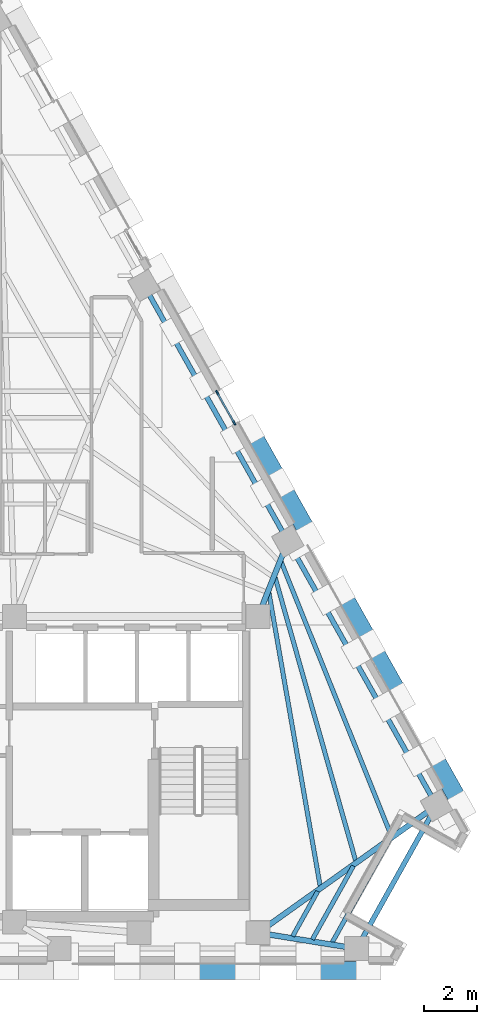
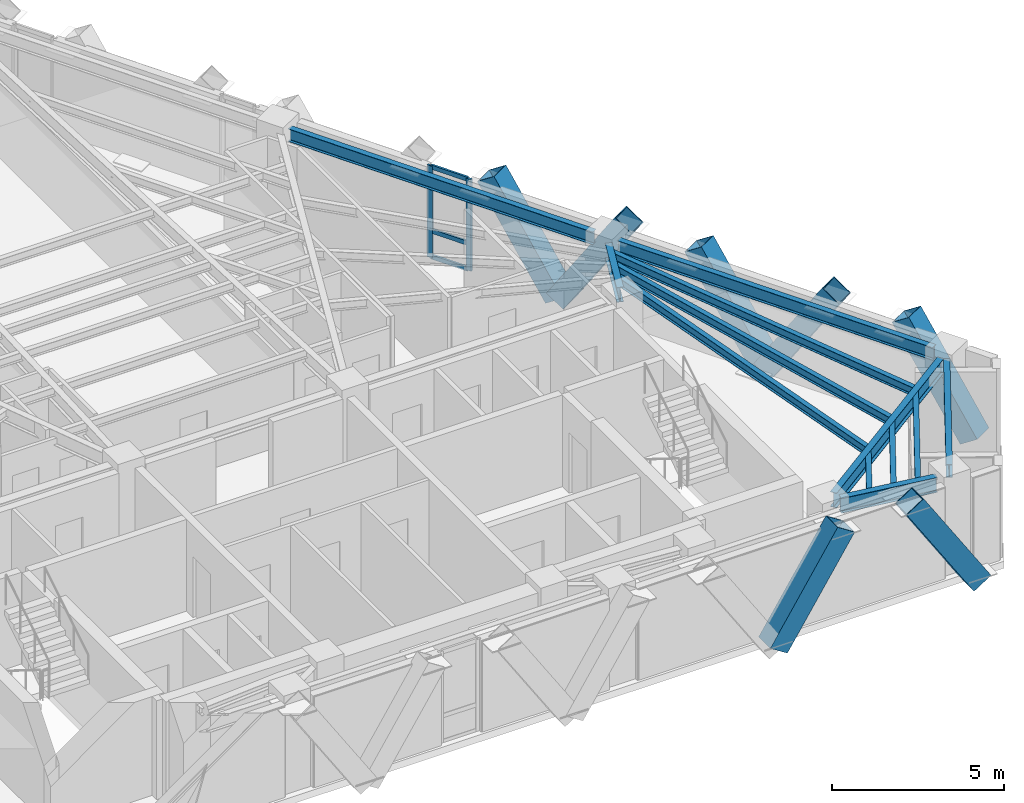
# One storey, part 4 of 12: 12 beams, 12 members, 1 element without a shape of its own.
"""IFC4 building model written with IfcOpenShell, lengths in metres."""

import ifcopenshell
import ifcopenshell.guid

model = None  # the IFC model being written
_history = None  # IfcOwnerHistory: only IFC2X3 demands one
_inside = {}  # id of a spatial element -> (the spatial element, [elements in it])
_under = {}  # id of a project, library or spatial element -> (it, [spatial elements below it])
_declared = {}  # id of a project -> (the project, [libraries it declares])
_typed = {}  # id of a type object -> (the type object, [elements of that type])
_made_of = {}  # id of a material, layer set ... -> (it, [elements and type objects made of it])


def new_model(schema):
    """Start an empty IFC model of exactly this schema.

    Asked for "IFC4X3", IfcOpenShell would pick the latest addendum, in which some entities
    have other attributes; the version numbers below select the first issue.
    IFC2X3 requires an IfcOwnerHistory on every rooted entity: one is made here for all.
    """
    global model, _history
    if schema == "IFC4X3":
        model = ifcopenshell.file(schema_version=(4, 3, 0, 0))
    else:
        model = ifcopenshell.file(schema=schema)
    _inside.clear()
    _under.clear()
    _declared.clear()
    _typed.clear()
    _made_of.clear()
    _history = None
    if model.schema == "IFC2X3":
        org = make("IfcOrganization", Name="unknown")
        user = make(
            "IfcPersonAndOrganization",
            ThePerson=make("IfcPerson", FamilyName="unknown"),
            TheOrganization=org,
        )
        app = make(
            "IfcApplication",
            ApplicationDeveloper=org,
            Version="unknown",
            ApplicationFullName="unknown",
            ApplicationIdentifier="unknown",
        )
        _history = make(
            "IfcOwnerHistory",
            OwningUser=user,
            OwningApplication=app,
            ChangeAction="ADDED",
            CreationDate=0,
        )
    return model


def make(cls, **values):
    """One entity of the class cls with the attributes given. An attribute that is None is left unset."""
    return model.create_entity(
        cls, **{name: value for name, value in values.items() if value is not None}
    )


def rooted(cls, **values):
    """An entity with a GlobalId (a new one), such as an element, a storey or a relation."""
    return make(cls, GlobalId=ifcopenshell.guid.new(), OwnerHistory=_history, **values)


def si_unit(unit_type, name, prefix=None):
    """IfcSIUnit, for example si_unit("LENGTHUNIT", "METRE", prefix="MILLI")."""
    return make("IfcSIUnit", UnitType=unit_type, Prefix=prefix, Name=name)


def assignment(units):
    """IfcUnitAssignment: the units of a project."""
    return None if units is None else make("IfcUnitAssignment", Units=units)


def point(xyz):
    """IfcCartesianPoint."""
    return None if xyz is None else make("IfcCartesianPoint", Coordinates=xyz)


def direction(xyz):
    """IfcDirection."""
    return None if xyz is None else make("IfcDirection", DirectionRatios=xyz)


def frame(location, z_axis=None, x_axis=None):
    """IfcAxis2Placement3D, a coordinate frame: its origin and axes. An axis left out is left unset."""
    return make(
        "IfcAxis2Placement3D",
        Location=point(location),
        Axis=direction(z_axis),
        RefDirection=direction(x_axis),
    )


def frame_2d(location, x_axis=None):
    """IfcAxis2Placement2D, a coordinate frame in the plane: its origin and x axis."""
    return make(
        "IfcAxis2Placement2D", Location=point(location), RefDirection=direction(x_axis)
    )


def origin():
    """The frame at (0, 0, 0) with its axes left unset."""
    return frame((0.0, 0.0, 0.0))


def origin_2d():
    """The frame at (0, 0) in the plane with its x axis left unset."""
    return frame_2d((0.0, 0.0))


def place(relative_to, where):
    """IfcLocalPlacement: puts the frame where relative to a parent placement (None: the world)."""
    return make(
        "IfcLocalPlacement", PlacementRelTo=relative_to, RelativePlacement=where
    )


def context(
    kind, dimensions, precision=None, world=None, true_north=None, identifier=None
):
    """IfcGeometricRepresentationContext, for example the 3D "Model" context."""
    return make(
        "IfcGeometricRepresentationContext",
        ContextIdentifier=identifier,
        ContextType=kind,
        CoordinateSpaceDimension=dimensions,
        Precision=precision,
        WorldCoordinateSystem=world,
        TrueNorth=true_north,
    )


def subcontext(parent, identifier, kind, view, scale=None):
    """IfcGeometricRepresentationSubContext, for example "Body" below "Model"."""
    return make(
        "IfcGeometricRepresentationSubContext",
        ContextIdentifier=identifier,
        ContextType=kind,
        ParentContext=parent,
        TargetScale=scale,
        TargetView=view,
    )


def project(units=None, contexts=None):
    """IfcProject with its units and contexts."""
    return rooted(
        "IfcProject",
        Name="project",
        RepresentationContexts=contexts,
        UnitsInContext=assignment(units),
    )


def spatial(cls, under=None, at=None, **own):
    """A site, building, storey or space (cls), placed at a placement, below another one or the project."""
    s = rooted(cls, ObjectPlacement=at, **own)
    if under is not None:
        _under.setdefault(under.id(), (under, []))[1].append(s)
    return s


def profile(cls, at=None, kind="AREA", **sizes):
    """A parametric profile (cls). Its sizes go by their IFC names, for example OverallWidth=200.0."""
    return make(cls, ProfileType=kind, Position=at, **sizes)


def rectangle(**sizes):
    """IfcRectangleProfileDef."""
    return profile("IfcRectangleProfileDef", **sizes)


def hollow_rectangle(**sizes):
    """IfcRectangleHollowProfileDef."""
    return profile("IfcRectangleHollowProfileDef", **sizes)


def i_section(**sizes):
    """IfcIShapeProfileDef."""
    return profile("IfcIShapeProfileDef", **sizes)


def extrude(swept, where, along, depth):
    """IfcExtrudedAreaSolid: the profile swept, set in the frame where, extruded along a direction by depth."""
    return make(
        "IfcExtrudedAreaSolid",
        SweptArea=swept,
        Position=where,
        ExtrudedDirection=direction(along),
        Depth=depth,
    )


def shape(context_of_items, identifier, shape_type, items):
    """IfcShapeRepresentation: the items that make up one representation, for example the "Body"."""
    return make(
        "IfcShapeRepresentation",
        ContextOfItems=context_of_items,
        RepresentationIdentifier=identifier,
        RepresentationType=shape_type,
        Items=items,
    )


def material(Name=None, Category=None):
    """IfcMaterial."""
    return make("IfcMaterial", Name=Name, Category=Category)


def material_profile(
    of_material, cross_section, Name=None, Category=None, Priority=None
):
    """IfcMaterialProfile: a cross section and its material."""
    return make(
        "IfcMaterialProfile",
        Name=Name,
        Material=of_material,
        Profile=cross_section,
        Priority=Priority,
        Category=Category,
    )


def profile_set(profiles, Name=None, composite=None):
    """IfcMaterialProfileSet."""
    return make(
        "IfcMaterialProfileSet",
        Name=Name,
        MaterialProfiles=profiles,
        CompositeProfile=composite,
    )


def made_of(thing, what):
    """Note that an element or type object is made of a material, layer set ...; save() writes the relation."""
    if what is not None:
        _made_of.setdefault(what.id(), (what, []))[1].append(thing)
    return thing


def type_object(cls, material=None, **own):
    """A type object (cls), such as IfcWallType, which elements share."""
    return made_of(rooted(cls, **own), material)


def element(
    cls,
    number,
    at=None,
    inside=None,
    cuts=None,
    type_object=None,
    material=None,
    context=None,
    identifier="Body",
    shape_type=None,
    held_by="IfcProductDefinitionShape",
    body=None,
    shapes=None,
    **own,
):
    """One element of the class cls, such as IfcWall. Its Tag is "e" and its number.

    at: its placement. inside: the storey or other place that contains it. cuts: it is an
    opening in that element (IfcRelVoidsElement). A single representation is given by context,
    identifier, shape_type and body (its items); several are given by shapes. held_by: the class
    of the entity that holds the representations. save() writes the other relations.
    """
    e = rooted(cls, Tag="e%d" % number, ObjectPlacement=at, **own)
    if body is not None:
        shapes = [shape(context, identifier, shape_type, body)]
    if shapes is not None:
        e.Representation = make(held_by, Representations=shapes)
    if inside is not None:
        _inside.setdefault(inside.id(), (inside, []))[1].append(e)
    if cuts is not None:
        rooted(
            "IfcRelVoidsElement", RelatingBuildingElement=cuts, RelatedOpeningElement=e
        )
    if type_object is not None:
        _typed.setdefault(type_object.id(), (type_object, []))[1].append(e)
    return made_of(e, material)


def aggregate(whole, parts):
    """IfcRelAggregates: a whole, such as a stair, and the parts it consists of."""
    return rooted("IfcRelAggregates", RelatingObject=whole, RelatedObjects=parts)


def save(model, path):
    """Write the relations noted so far, then the file.

    IfcRelAggregates (storeys below a building ...), IfcRelContainedInSpatialStructure (elements
    in a storey), IfcRelDefinesByType, IfcRelAssociatesMaterial and IfcRelDeclares: one each for
    every whole, place, type object, material and project.
    """
    for whole, parts in _under.values():
        aggregate(whole, parts)
    for where, things in _inside.values():
        rooted(
            "IfcRelContainedInSpatialStructure",
            RelatedElements=things,
            RelatingStructure=where,
        )
    for kind, things in _typed.values():
        rooted("IfcRelDefinesByType", RelatedObjects=things, RelatingType=kind)
    for what, things in _made_of.values():
        rooted("IfcRelAssociatesMaterial", RelatedObjects=things, RelatingMaterial=what)
    for by, libraries in _declared.values():
        rooted("IfcRelDeclares", RelatingContext=by, RelatedDefinitions=libraries)
    model.write(path)


model = new_model("IFC4")

# Units and contexts
model_context = context("Model", 3, precision=1e-05, world=origin(), true_north=direction((0.0, 1.0)))
body_context = subcontext(model_context, "Body", "Model", "MODEL_VIEW")
ifc_project = project(units=[si_unit("LENGTHUNIT", "METRE"), si_unit("AREAUNIT", "SQUARE_METRE"), si_unit("VOLUMEUNIT", "CUBIC_METRE"), si_unit("PLANEANGLEUNIT", "RADIAN"), si_unit("MASSUNIT", "GRAM", prefix="KILO")], contexts=[model_context])

# Site, building, storey
site_placement = place(None, origin())
site = spatial("IfcSite", under=ifc_project, at=site_placement, CompositionType="ELEMENT")
building_placement = place(site_placement, origin())
building = spatial("IfcBuilding", under=site, at=building_placement, Name="Quenlor Broadcast Tower", CompositionType="ELEMENT")
storey_placement = place(building_placement, frame((0.0, 0.0, 200.89990234375)))
storey = spatial("IfcBuildingStorey", under=building, at=storey_placement, Name="L55", CompositionType="ELEMENT", Elevation=200.89990234375)

# Curtain wall, members
ifc_material_1 = material(Name="Architectural Terracotta and Low-E Glazing", Category="masonry")
curtain_wall_type = type_object("IfcCurtainWallType", Name="Unitised Terracotta Curtain Wall System Z4", PredefinedType="NOTDEFINED", material=ifc_material_1)
curtain_wall_placement = place(storey_placement, origin())
curtain_wall = element("IfcCurtainWall", 1, at=curtain_wall_placement, inside=storey, type_object=curtain_wall_type, Name="L55 Curtain Wall CW4 (L55-NE-G1)", PredefinedType="NOTDEFINED")
ifc_material_2 = material(Name="Aluminium 6063-T6", Category="aluminium")
ifc_material_profile_1 = material_profile(ifc_material_2, rectangle(XDim=0.068115234375, YDim=0.179931640625, at=origin_2d()))
ifc_profile_set_1 = profile_set([ifc_material_profile_1], Name="Aluminium 6063-T6 MULL68x180")
member_type_1 = type_object("IfcMemberType", Name="CW4 Aluminium Mullion MULL_CW4", PredefinedType="MULLION", material=ifc_profile_set_1)
member_1_placement = place(storey_placement, frame((11.408203125, 3.65966796875, 0.0), z_axis=(0.0, 0.0, 1.0), x_axis=(0.871560008943, 0.490288844266, 0.0)))
member_1 = element("IfcMember", 2, at=member_1_placement, type_object=member_type_1, Name="CW4 mullion 1", PredefinedType="MULLION", context=body_context, shape_type="SweptSolid", body=[
    extrude(rectangle(XDim=0.068115234375, YDim=0.179931640625, at=origin_2d()), origin(), (0.0, 0.0, 1.0), 3.25),
])
member_2_placement = place(storey_placement, frame((12.049560546875, 2.519775390625, 0.0), z_axis=(0.0, 0.0, 1.0), x_axis=(0.871560008943, 0.490288844266, 0.0)))
member_2 = element("IfcMember", 3, at=member_2_placement, type_object=member_type_1, Name="CW4 mullion 2", PredefinedType="MULLION", context=body_context, shape_type="SweptSolid", body=[
    extrude(rectangle(XDim=0.068115234375, YDim=0.179931640625, at=origin_2d()), origin(), (0.0, 0.0, 1.0), 3.25),
])
ifc_material_3 = material(Name="Aluminium 6063-T6", Category="aluminium")
ifc_material_profile_2 = material_profile(ifc_material_3, rectangle(XDim=0.068115234375, YDim=0.14990234375, at=origin_2d()))
ifc_profile_set_2 = profile_set([ifc_material_profile_2], Name="Aluminium 6063-T6 TRAN68x150")
member_type_2 = type_object("IfcMemberType", Name="CW4 Aluminium Transom TRAN_CW4", PredefinedType="USERDEFINED", material=ifc_profile_set_2)
member_3_placement = place(storey_placement, frame((11.425048828125, 3.630126953125, 0.0341796875), z_axis=(0.490233197009, -0.871591310506, 0.0), x_axis=(0.871591310506, 0.490233197009, 0.0)))
member_3 = element("IfcMember", 4, at=member_3_placement, type_object=member_type_2, Name="CW4 transom 1.1", ObjectType="TRANSOM", PredefinedType="USERDEFINED", context=body_context, shape_type="SweptSolid", body=[
    extrude(rectangle(XDim=0.068115234375, YDim=0.14990234375, at=origin_2d()), origin(), (0.0, 0.0, 1.0), 1.239990234375),
])
member_4_placement = place(storey_placement, frame((11.425048828125, 3.630126953125, 0.9501953125), z_axis=(0.490233197009, -0.871591310506, 0.0), x_axis=(0.871591310506, 0.490233197009, 0.0)))
member_4 = element("IfcMember", 5, at=member_4_placement, type_object=member_type_2, Name="CW4 transom 1.2", ObjectType="TRANSOM", PredefinedType="USERDEFINED", context=body_context, shape_type="SweptSolid", body=[
    extrude(rectangle(XDim=0.068115234375, YDim=0.14990234375, at=origin_2d()), origin(), (0.0, 0.0, 1.0), 1.239990234375),
])
member_5_placement = place(storey_placement, frame((11.425048828125, 3.630126953125, 3.216064453125), z_axis=(0.490233197009, -0.871591310506, 0.0), x_axis=(0.871591310506, 0.490233197009, 0.0)))
member_5 = element("IfcMember", 6, at=member_5_placement, type_object=member_type_2, Name="CW4 transom 1.3", ObjectType="TRANSOM", PredefinedType="USERDEFINED", context=body_context, shape_type="SweptSolid", body=[
    extrude(rectangle(XDim=0.068115234375, YDim=0.14990234375, at=origin_2d()), origin(), (0.0, 0.0, 1.0), 1.239990234375),
])
aggregate(curtain_wall, [member_1, member_2, member_3, member_4, member_5])

# Members
ifc_material_4 = material(Name="Steel S355", Category="steel")
ifc_material_profile_3 = material_profile(ifc_material_4, hollow_rectangle(XDim=0.679931640625, YDim=0.679931640625, WallThickness=0.02490234375, at=origin_2d()))
ifc_profile_set_3 = profile_set([ifc_material_profile_3], Name="Steel S355 RHS680x680x25")
member_type_3 = type_object("IfcMemberType", Name="Perimeter Diagonal Lattice Brace Z3-Z4 Steel S355 RHS680x25", PredefinedType="BRACE", material=ifc_profile_set_3)
for number, where, z_axis, x_axis, name in (
    (7, (17.1123046875, -18.169921875, -0.119873046875), (-0.541794306908, 0.0, 0.840511111766), (0.0, -1.0, 0.0), "L55 Perimeter Diamond Lattice S-C1S"),
    (8, (10.289306640625, -18.169921875, -0.119873046875), (0.541794306908, 0.0, 0.840511111766), (0.0, 1.0, 0.0), "L55 Perimeter Diamond Lattice S-C1B"),
):
    element("IfcMember", number, at=place(storey_placement, frame(where, z_axis=z_axis, x_axis=x_axis)), inside=storey, type_object=member_type_3, Name=name, PredefinedType="BRACE", context=body_context, shape_type="SweptSolid", body=[
        extrude(hollow_rectangle(XDim=0.679931640625, YDim=0.679931640625, WallThickness=0.02490234375, at=origin_2d()), origin(), (0.0, 0.0, 1.0), 4.1640625),
    ])
for number, where, z_axis, x_axis, name in (
    (9, (13.781005859375, 0.24755859375, -0.119873046875), (-0.269547055694, 0.479136497832, 0.835327840559), (-0.871550060774, -0.49030652817, 0.0), "L55 Perimeter Diamond Lattice NE-C3B"),
    (10, (13.794677734375, 0.22314453125, -0.119873046875), (0.269485495908, -0.479188912076, 0.835317636614), (0.871620820774, 0.490180726664, 0.0), "L55 Perimeter Diamond Lattice NE-C4S"),
    (11, (17.2099609375, -5.8486328125, -0.119873046875), (-0.269547055694, 0.479136497832, 0.835327840559), (-0.871550060774, -0.49030652817, 0.0), "L55 Perimeter Diamond Lattice NE-C4B"),
):
    element("IfcMember", number, at=place(storey_placement, frame(where, z_axis=z_axis, x_axis=x_axis)), inside=storey, type_object=member_type_3, Name=name, PredefinedType="BRACE", context=body_context, shape_type="SweptSolid", body=[
        extrude(hollow_rectangle(XDim=0.679931640625, YDim=0.679931640625, WallThickness=0.02490234375, at=origin_2d()), origin(), (0.0, 0.0, 1.0), 4.18994140625),
    ])
member_6_placement = place(storey_placement, frame((17.2236328125, -5.873046875, -0.119873046875), z_axis=(0.269539530269, -0.479181387144, 0.835304519224), x_axis=(0.871575537125, 0.490261239633, 0.0)))
element("IfcMember", 12, at=member_6_placement, inside=storey, type_object=member_type_3, Name="L55 Perimeter Diamond Lattice NE-C5S", PredefinedType="BRACE", context=body_context, shape_type="SweptSolid", body=[
    extrude(hollow_rectangle(XDim=0.679931640625, YDim=0.679931640625, WallThickness=0.02490234375, at=origin_2d()), origin(), (0.0, 0.0, 1.0), 4.190185546875),
])
member_7_placement = place(storey_placement, frame((20.63916015625, -11.94482421875, -0.119873046875), z_axis=(-0.269547055694, 0.479136497832, 0.835327840559), x_axis=(-0.871550060774, -0.49030652817, 0.0)))
element("IfcMember", 13, at=member_7_placement, inside=storey, type_object=member_type_3, Name="L55 Perimeter Diamond Lattice NE-C5B", PredefinedType="BRACE", context=body_context, shape_type="SweptSolid", body=[
    extrude(hollow_rectangle(XDim=0.679931640625, YDim=0.679931640625, WallThickness=0.02490234375, at=origin_2d()), origin(), (0.0, 0.0, 1.0), 4.18994140625),
])

# Beams
ifc_material_5 = material(Name="Steel S355", Category="steel")
ifc_material_profile_4 = material_profile(ifc_material_5, i_section(OverallWidth=0.18994140625, OverallDepth=0.453857421875, WebThickness=0.008544921875, FlangeThickness=0.0126953125, FilletRadius=0.011474609375, at=origin_2d()))
ifc_profile_set_4 = profile_set([ifc_material_profile_4], Name="Steel S355 460UB67.1")
beam_type_1 = type_object("IfcBeamType", Name="Perimeter Spandrel Beam Z4 Steel S355 460UB67.1", PredefinedType="SPANDREL", material=ifc_profile_set_4)
beam_1_placement = place(storey_placement, frame((16.875732421875, -16.991943359375, 3.023193359375), z_axis=(0.487647250206, 0.8730407547, 0.0), x_axis=(-0.8730407547, 0.487647250206, 0.0)))
element("IfcBeam", 14, at=beam_1_placement, inside=storey, type_object=beam_type_1, Name="L55 Spandrel Beam S4-NE1", PredefinedType="SPANDREL", context=body_context, shape_type="SweptSolid", body=[
    extrude(i_section(OverallWidth=0.18994140625, OverallDepth=0.453857421875, WebThickness=0.008544921875, FlangeThickness=0.0126953125, FilletRadius=0.011474609375, at=origin_2d()), origin(), (0.0, 0.0, 1.0), 5.37451171875),
])
beam_2_placement = place(storey_placement, frame((19.49560546875, -11.58447265625, 3.023193359375), z_axis=(-0.490272131974, 0.871569410093, 0.0), x_axis=(-0.871569410093, -0.490272131974, 0.0)))
element("IfcBeam", 15, at=beam_2_placement, inside=storey, type_object=beam_type_1, Name="L55 Spandrel Beam NE1-NE2", PredefinedType="SPANDREL", context=body_context, shape_type="SweptSolid", body=[
    extrude(i_section(OverallWidth=0.18994140625, OverallDepth=0.453857421875, WebThickness=0.008544921875, FlangeThickness=0.0126953125, FilletRadius=0.011474609375, at=origin_2d()), origin(), (0.0, 0.0, 1.0), 10.6416015625),
])
beam_3_placement = place(storey_placement, frame((13.87646484375, -1.594970703125, 3.023193359375), z_axis=(-0.490263496537, 0.871574267612, 0.0), x_axis=(-0.871574267612, -0.490263496537, 0.0)))
element("IfcBeam", 16, at=beam_3_placement, inside=storey, type_object=beam_type_1, Name="L55 Spandrel Beam NE2-NE3", PredefinedType="SPANDREL", context=body_context, shape_type="SweptSolid", body=[
    extrude(i_section(OverallWidth=0.18994140625, OverallDepth=0.453857421875, WebThickness=0.008544921875, FlangeThickness=0.0126953125, FilletRadius=0.011474609375, at=origin_2d()), origin(), (0.0, 0.0, 1.0), 10.271728515625),
])
ifc_material_6 = material(Name="Steel S355", Category="steel")
ifc_material_profile_5 = material_profile(ifc_material_6, i_section(OverallWidth=0.166015625, OverallDepth=0.30712890625, WebThickness=0.006591796875, FlangeThickness=0.01171875, FilletRadius=0.011474609375, at=origin_2d()))
ifc_profile_set_5 = profile_set([ifc_material_profile_5], Name="Steel S355 310UB46.2")
beam_type_2 = type_object("IfcBeamType", Name="Tower Composite Joist Z4-Z5 Steel S355 310UB46.2", PredefinedType="JOIST", material=ifc_profile_set_5)
beam_4_placement = place(storey_placement, frame((15.297607421875, -14.98828125, 3.096435546875), z_axis=(-0.172003691938, 0.985096304916, 0.0), x_axis=(-0.985096304916, -0.172003691938, 0.0)))
element("IfcBeam", 17, at=beam_4_placement, inside=storey, type_object=beam_type_2, Name="L55 Secondary Composite Joist 16", PredefinedType="JOIST", context=body_context, shape_type="SweptSolid", body=[
    extrude(i_section(OverallWidth=0.166015625, OverallDepth=0.30712890625, WebThickness=0.006591796875, FlangeThickness=0.01171875, FilletRadius=0.011474609375, at=origin_2d()), origin(), (0.0, 0.0, 1.0), 11.274169921875),
])
beam_5_placement = place(storey_placement, frame((16.638671875, -14.028564453125, 3.096435546875), z_axis=(-0.273447576454, 0.961886907558, 0.0), x_axis=(-0.961886907558, -0.273447576454, 0.0)))
element("IfcBeam", 18, at=beam_5_placement, inside=storey, type_object=beam_type_2, Name="L55 Secondary Composite Joist 17", PredefinedType="JOIST", context=body_context, shape_type="SweptSolid", body=[
    extrude(i_section(OverallWidth=0.166015625, OverallDepth=0.30712890625, WebThickness=0.006591796875, FlangeThickness=0.01171875, FilletRadius=0.011474609375, at=origin_2d()), origin(), (0.0, 0.0, 1.0), 11.142333984375),
])
beam_6_placement = place(storey_placement, frame((17.97998046875, -13.069580078125, 3.096435546875), z_axis=(-0.373094895103, 0.927793187757, 0.0), x_axis=(-0.927793187757, -0.373094895103, 0.0)))
element("IfcBeam", 19, at=beam_6_placement, inside=storey, type_object=beam_type_2, Name="L55 Secondary Composite Joist 18", PredefinedType="JOIST", context=body_context, shape_type="SweptSolid", body=[
    extrude(i_section(OverallWidth=0.166015625, OverallDepth=0.30712890625, WebThickness=0.006591796875, FlangeThickness=0.01171875, FilletRadius=0.011474609375, at=origin_2d()), origin(), (0.0, 0.0, 1.0), 11.13525390625),
])
beam_7_placement = place(storey_placement, frame((14.255859375, -16.88427734375, 3.096435546875), z_axis=(0.487590799665, 0.873072283423, 0.0), x_axis=(-0.873072283423, 0.487590799665, 0.0)))
element("IfcBeam", 20, at=beam_7_placement, inside=storey, type_object=beam_type_2, Name="L55 Secondary Composite Joist 22", PredefinedType="JOIST", context=body_context, shape_type="SweptSolid", body=[
    extrude(i_section(OverallWidth=0.166015625, OverallDepth=0.30712890625, WebThickness=0.006591796875, FlangeThickness=0.01171875, FilletRadius=0.011474609375, at=origin_2d()), origin(), (0.0, 0.0, 1.0), 1.9462890625),
])
beam_8_placement = place(storey_placement, frame((15.0009765625, -17.004150390625, 3.096435546875), z_axis=(0.487646119388, 0.87304138633, 0.0), x_axis=(-0.87304138633, 0.487646119388, 0.0)))
element("IfcBeam", 21, at=beam_8_placement, inside=storey, type_object=beam_type_2, Name="L55 Secondary Composite Joist 23", PredefinedType="JOIST", context=body_context, shape_type="SweptSolid", body=[
    extrude(i_section(OverallWidth=0.166015625, OverallDepth=0.30712890625, WebThickness=0.006591796875, FlangeThickness=0.01171875, FilletRadius=0.011474609375, at=origin_2d()), origin(), (0.0, 0.0, 1.0), 3.18505859375),
])
beam_9_placement = place(storey_placement, frame((15.74609375, -17.124267578125, 3.096435546875), z_axis=(0.487604899573, 0.873064408799, 0.0), x_axis=(-0.873064408799, 0.487604899573, 0.0)))
element("IfcBeam", 22, at=beam_9_placement, inside=storey, type_object=beam_type_2, Name="L55 Secondary Composite Joist 24", PredefinedType="JOIST", context=body_context, shape_type="SweptSolid", body=[
    extrude(i_section(OverallWidth=0.166015625, OverallDepth=0.30712890625, WebThickness=0.006591796875, FlangeThickness=0.01171875, FilletRadius=0.011474609375, at=origin_2d()), origin(), (0.0, 0.0, 1.0), 4.424072265625),
])
ifc_material_7 = material(Name="Steel S355", Category="steel")
ifc_material_profile_6 = material_profile(ifc_material_7, i_section(OverallWidth=0.208984375, OverallDepth=0.5283203125, WebThickness=0.009521484375, FlangeThickness=0.01318359375, FilletRadius=0.013916015625, at=origin_2d()))
ifc_profile_set_6 = profile_set([ifc_material_profile_6], Name="Steel S355 530UB82.0")
beam_type_3 = type_object("IfcBeamType", Name="Tower Primary Floor Beam Z4 Steel S355 530UB82.0", PredefinedType="BEAM", material=ifc_profile_set_6)
beam_10_placement = place(storey_placement, frame((16.27099609375, -17.284912109375, 2.986083984375), z_axis=(-0.987268490875, 0.159062650942, 0.0), x_axis=(-0.159062650942, -0.987268490875, 0.0)))
element("IfcBeam", 23, at=beam_10_placement, inside=storey, type_object=beam_type_3, Name="L55 Primary Radial Beam S4", PredefinedType="BEAM", context=body_context, shape_type="SweptSolid", body=[
    extrude(i_section(OverallWidth=0.208984375, OverallDepth=0.5283203125, WebThickness=0.009521484375, FlangeThickness=0.01318359375, FilletRadius=0.013916015625, at=origin_2d()), origin(), (0.0, 0.0, 1.0), 2.98388671875),
])
beam_11_placement = place(storey_placement, frame((19.362548828125, -12.1796875, 2.986083984375), z_axis=(-0.814329531787, -0.580402802938, 0.0), x_axis=(0.580402802938, -0.814329531787, 0.0)))
element("IfcBeam", 24, at=beam_11_placement, inside=storey, type_object=beam_type_3, Name="L55 Primary Radial Beam NE1", PredefinedType="BEAM", context=body_context, shape_type="SweptSolid", body=[
    extrude(i_section(OverallWidth=0.208984375, OverallDepth=0.5283203125, WebThickness=0.009521484375, FlangeThickness=0.01318359375, FilletRadius=0.013916015625, at=origin_2d()), origin(), (0.0, 0.0, 1.0), 7.49462890625),
])
beam_12_placement = place(storey_placement, frame((13.926513671875, -2.33349609375, 2.986083984375), z_axis=(-0.368110359783, -0.92978210513, 0.0), x_axis=(0.92978210513, -0.368110359783, 0.0)))
element("IfcBeam", 25, at=beam_12_placement, inside=storey, type_object=beam_type_3, Name="L55 Primary Radial Beam NE2", PredefinedType="BEAM", context=body_context, shape_type="SweptSolid", body=[
    extrude(i_section(OverallWidth=0.208984375, OverallDepth=0.5283203125, WebThickness=0.009521484375, FlangeThickness=0.01318359375, FilletRadius=0.013916015625, at=origin_2d()), origin(), (0.0, 0.0, 1.0), 2.27294921875),
])

save(model, "model.ifc")
